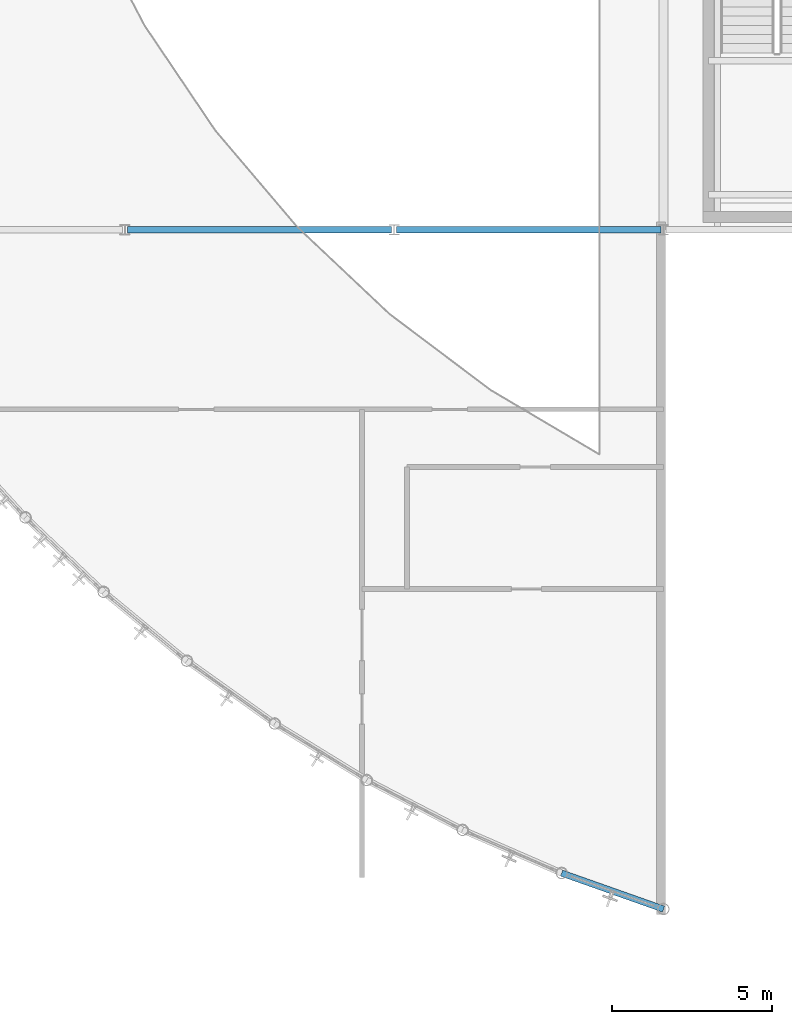
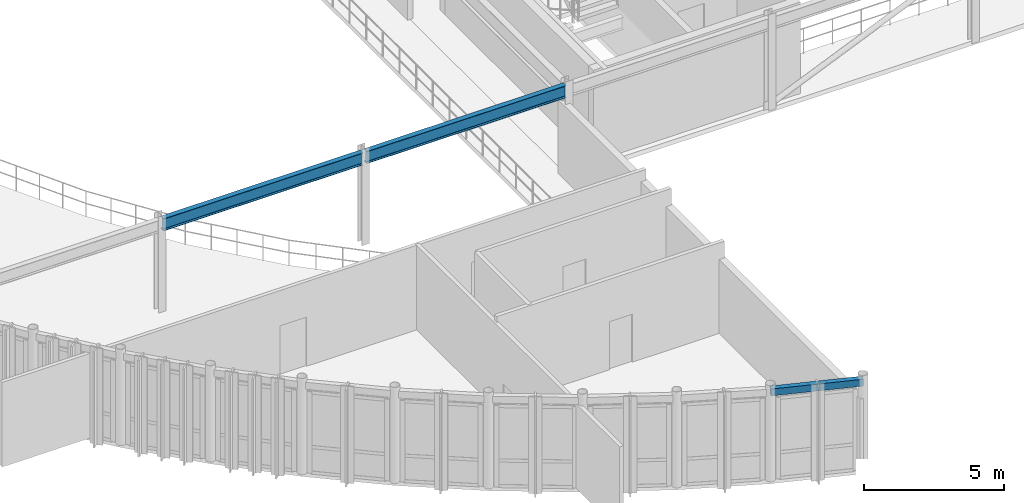
# One storey, part 12 of 32: 3 beams.
"""IFC4 building model written with IfcOpenShell, lengths in metres."""

from ifc_helpers import new_model, si_unit, direction, frame, origin, origin_2d, place, context, subcontext, project, spatial, hollow_rectangle, i_section, extrude, material, material_profile, profile_set, type_object, element, save


model = new_model("IFC4")

# Units and contexts
model_context = context("Model", 3, precision=1e-05, world=origin(), true_north=direction((0.0, 1.0)))
body_context = subcontext(model_context, "Body", "Model", "MODEL_VIEW")
ifc_project = project(units=[si_unit("LENGTHUNIT", "METRE"), si_unit("AREAUNIT", "SQUARE_METRE"), si_unit("VOLUMEUNIT", "CUBIC_METRE"), si_unit("PLANEANGLEUNIT", "RADIAN"), si_unit("MASSUNIT", "GRAM", prefix="KILO")], contexts=[model_context])

# Site, building, storey
site_placement = place(None, origin())
site = spatial("IfcSite", under=ifc_project, at=site_placement, CompositionType="ELEMENT")
building_placement = place(site_placement, origin())
building = spatial("IfcBuilding", under=site, at=building_placement, Name="Selat Folded Stagehouse", CompositionType="ELEMENT")
storey_placement = place(building_placement, frame((0.0, 0.0, 19.199951171875)))
storey = spatial("IfcBuildingStorey", under=building, at=storey_placement, Name="L04", CompositionType="ELEMENT", Elevation=19.199951171875)

# Beams
ifc_material = material(Name="Steel S355", Category="steel")
ifc_material_profile_1 = material_profile(ifc_material, i_section(OverallWidth=0.209228515625, OverallDepth=0.533203125, WebThickness=0.010009765625, FlangeThickness=0.015625, FilletRadius=0.0126953125, at=origin_2d()), Name="UKB 533x210x92")
ifc_profile_set_1 = profile_set([ifc_material_profile_1], Name="Steel S355")
beam_type_1 = type_object("IfcBeamType", Name="BM-GIRD-533x210x92", PredefinedType="BEAM", material=ifc_profile_set_1)
beam_1_placement = place(storey_placement, frame((16.8798828125, 23.39990234375, 3.733642578125), z_axis=(1.0, 0.0, 0.0), x_axis=(0.0, 1.0, 0.0)))
element("IfcBeam", 1, at=beam_1_placement, inside=storey, type_object=beam_type_1, Name="L04 primary x-girder 1360", PredefinedType="BEAM", context=body_context, shape_type="SweptSolid", body=[
    extrude(i_section(OverallWidth=0.209228515625, OverallDepth=0.533203125, WebThickness=0.010009765625, FlangeThickness=0.015625, FilletRadius=0.0126953125, at=origin_2d()), origin(), (0.0, 0.0, 1.0), 8.240234375),
])
beam_2_placement = place(storey_placement, frame((25.280029296875, 23.39990234375, 3.733642578125), z_axis=(1.0, 0.0, 0.0), x_axis=(0.0, 1.0, 0.0)))
element("IfcBeam", 2, at=beam_2_placement, inside=storey, type_object=beam_type_1, Name="L04 primary x-girder 1361", PredefinedType="BEAM", context=body_context, shape_type="SweptSolid", body=[
    extrude(i_section(OverallWidth=0.209228515625, OverallDepth=0.533203125, WebThickness=0.010009765625, FlangeThickness=0.015625, FilletRadius=0.0126953125, at=origin_2d()), origin(), (0.0, 0.0, 1.0), 8.239990234375),
])
ifc_material_profile_2 = material_profile(ifc_material, hollow_rectangle(XDim=0.199951171875, YDim=0.300048828125, WallThickness=0.012451171875, at=origin_2d()), Name="RHS 300x200x12.5")
ifc_profile_set_2 = profile_set([ifc_material_profile_2], Name="Steel S355")
beam_type_2 = type_object("IfcBeamType", Name="SPD-RHS-300x200", PredefinedType="SPANDREL", material=ifc_profile_set_2)
beam_3_placement = place(storey_placement, frame((30.423583984375, 3.333740234375, 3.85009765625), z_axis=(0.942833706296, -0.333263562774, 0.0), x_axis=(0.333263562774, 0.942833706296, 0.0)))
element("IfcBeam", 3, at=beam_3_placement, inside=storey, type_object=beam_type_2, Name="L04 curved drum spandrel beam 20", PredefinedType="SPANDREL", context=body_context, shape_type="SweptSolid", body=[
    extrude(hollow_rectangle(XDim=0.199951171875, YDim=0.300048828125, WallThickness=0.012451171875, at=origin_2d()), origin(), (0.0, 0.0, 1.0), 3.369140625),
])

save(model, "model.ifc")
